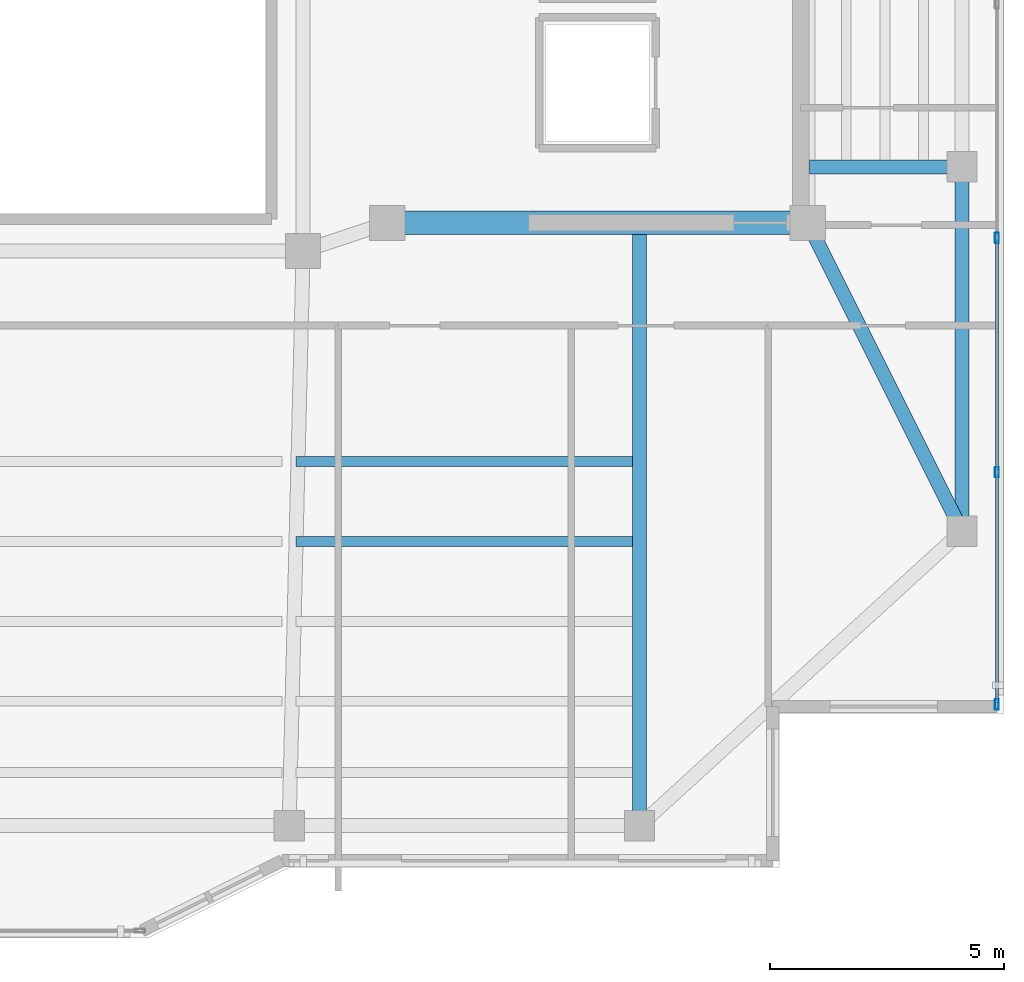
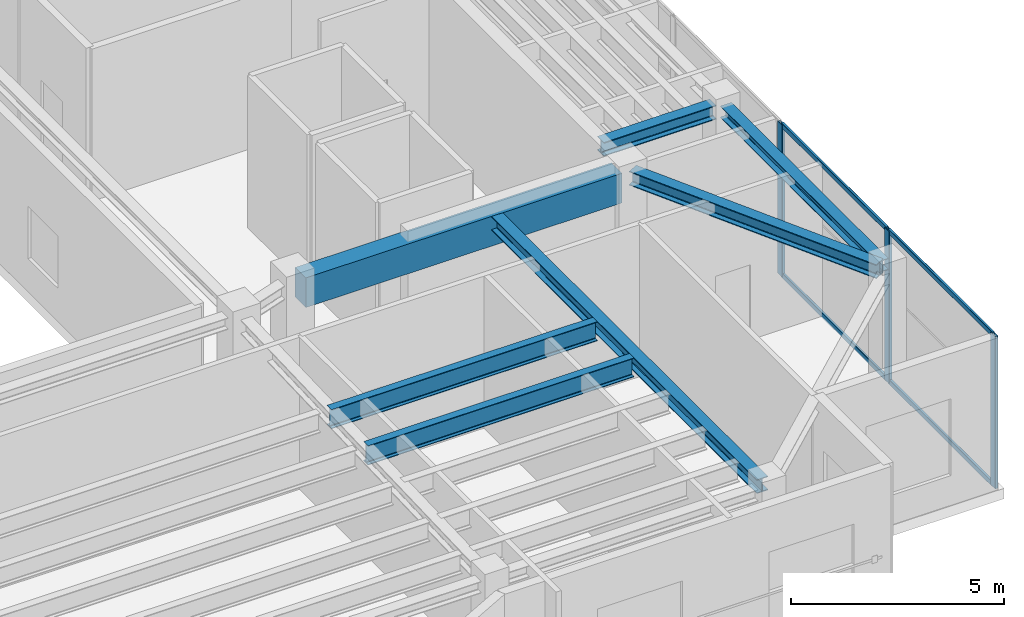
# One storey, part 8 of 25: 7 beams, 7 members, 1 element without a shape of its own.
"""IFC4 building model written with IfcOpenShell, lengths in metres."""

from ifc_helpers import new_model, si_unit, direction, frame, origin, origin_2d, place, context, subcontext, project, spatial, rectangle, hollow_rectangle, i_section, extrude, material, layer, layer_set, material_profile, profile_set, type_object, element, aggregate, save


model = new_model("IFC4")

# Units and contexts
model_context = context("Model", 3, precision=1e-05, world=origin(), true_north=direction((0.0, 1.0)))
body_context = subcontext(model_context, "Body", "Model", "MODEL_VIEW")
ifc_project = project(units=[si_unit("LENGTHUNIT", "METRE"), si_unit("AREAUNIT", "SQUARE_METRE"), si_unit("VOLUMEUNIT", "CUBIC_METRE"), si_unit("PLANEANGLEUNIT", "RADIAN"), si_unit("MASSUNIT", "GRAM", prefix="KILO")], contexts=[model_context])

# Site, building, storey
site_placement = place(None, origin())
site = spatial("IfcSite", under=ifc_project, at=site_placement, CompositionType="ELEMENT")
building_placement = place(site_placement, origin())
building = spatial("IfcBuilding", under=site, at=building_placement, Name="Tarnavaz Court Tower", CompositionType="ELEMENT")
storey_placement = place(building_placement, frame((0.0, 0.0, 271.64990234375)))
storey = spatial("IfcBuildingStorey", under=building, at=storey_placement, Name="L74", CompositionType="ELEMENT", Elevation=271.64990234375)

# Beams
ifc_material_1 = material(Name="Concrete C50/60", Category="concrete")
ifc_material_profile_1 = material_profile(ifc_material_1, rectangle(XDim=0.5, YDim=0.85009765625, at=origin_2d()), Name="RC 500X850")
ifc_profile_set_1 = profile_set([ifc_material_profile_1], Name="Concrete C50/60")
beam_type_1 = type_object("IfcBeamType", Name="BM-CB850", PredefinedType="LINTEL", material=ifc_profile_set_1)
beam_1_placement = place(storey_placement, frame((18.3798828125, -7.199951171875, 3.925048828125), z_axis=(-1.0, 0.0, 0.0), x_axis=(0.0, -1.0, 0.0)))
element("IfcBeam", 1, at=beam_1_placement, inside=storey, type_object=beam_type_1, Name="L74 Beam IN-CE-SO-CE-SI", PredefinedType="LINTEL", context=body_context, shape_type="SweptSolid", body=[
    extrude(rectangle(XDim=0.5, YDim=0.85009765625, at=origin_2d()), origin(), (0.0, 0.0, 1.0), 8.559814453125),
])
ifc_material_2 = material(Name="Steel S355", Category="steel")
ifc_material_profile_2 = material_profile(ifc_material_2, i_section(OverallWidth=0.300048828125, OverallDepth=0.39990234375, WebThickness=0.013427734375, FlangeThickness=0.02392578125, FilletRadius=0.027099609375, at=origin_2d()), Name="HEB 400")
ifc_profile_set_2 = profile_set([ifc_material_profile_2], Name="Steel S355")
beam_type_2 = type_object("IfcBeamType", Name="BM-G-HEB400", PredefinedType="USERDEFINED", material=ifc_profile_set_2)
beam_2_placement = place(storey_placement, frame((15.0, -7.239990234375, 4.150146484375), z_axis=(0.0, -1.0, 0.0), x_axis=(1.0, 0.0, 0.0)))
element("IfcBeam", 2, at=beam_2_placement, inside=storey, type_object=beam_type_2, Name="L74 Beam RG-08", ObjectType="GIRDER", PredefinedType="USERDEFINED", context=body_context, shape_type="SweptSolid", body=[
    extrude(i_section(OverallWidth=0.300048828125, OverallDepth=0.39990234375, WebThickness=0.013427734375, FlangeThickness=0.02392578125, FilletRadius=0.027099609375, at=origin_2d()), origin(), (0.0, 0.0, 1.0), 12.639892578125),
])
beam_3_placement = place(storey_placement, frame((18.639892578125, -6.0, 4.150146484375), z_axis=(1.0, 0.0, 0.0), x_axis=(0.0, 1.0, 0.0)))
element("IfcBeam", 3, at=beam_3_placement, inside=storey, type_object=beam_type_2, Name="L74 Beam RG-09", ObjectType="GIRDER", PredefinedType="USERDEFINED", context=body_context, shape_type="SweptSolid", body=[
    extrude(i_section(OverallWidth=0.300048828125, OverallDepth=0.39990234375, WebThickness=0.013427734375, FlangeThickness=0.02392578125, FilletRadius=0.027099609375, at=origin_2d()), origin(), (0.0, 0.0, 1.0), 3.0400390625),
])
beam_4_placement = place(storey_placement, frame((18.698486328125, -7.396728515625, 4.150146484375), z_axis=(0.447185448279, -0.894441264057, 0.0), x_axis=(0.894441264057, 0.447185448279, 0.0)))
element("IfcBeam", 4, at=beam_4_placement, inside=storey, type_object=beam_type_2, Name="L74 Beam RG-11", ObjectType="GIRDER", PredefinedType="USERDEFINED", context=body_context, shape_type="SweptSolid", body=[
    extrude(i_section(OverallWidth=0.300048828125, OverallDepth=0.39990234375, WebThickness=0.013427734375, FlangeThickness=0.02392578125, FilletRadius=0.027099609375, at=origin_2d()), origin(), (0.0, 0.0, 1.0), 6.93896484375),
])
ifc_material_profile_3 = material_profile(ifc_material_2, i_section(OverallWidth=0.2099609375, OverallDepth=0.550048828125, WebThickness=0.010986328125, FlangeThickness=0.01708984375, FilletRadius=0.02392578125, at=origin_2d()), Name="IPE 550")
ifc_profile_set_3 = profile_set([ifc_material_profile_3], Name="Steel S355")
beam_type_3 = type_object("IfcBeamType", Name="BM-J-IPE550", PredefinedType="JOIST", material=ifc_profile_set_3)
for number, where, z_axis, x_axis, name in (
    (5, (7.64990234375, -12.31005859375, 4.0751953125), (1.0, 0.0, 0.0), (0.0, 1.0, 0.0), "L74 Beam JS1-3"),
    (6, (7.64990234375, -14.02001953125, 4.0751953125), (1.0, 0.0, 0.0), (0.0, 1.0, 0.0), "L74 Beam JS2-3"),
):
    element("IfcBeam", number, at=place(storey_placement, frame(where, z_axis=z_axis, x_axis=x_axis)), inside=storey, type_object=beam_type_3, Name=name, PredefinedType="JOIST", context=body_context, shape_type="SweptSolid", body=[
        extrude(i_section(OverallWidth=0.2099609375, OverallDepth=0.550048828125, WebThickness=0.010986328125, FlangeThickness=0.01708984375, FilletRadius=0.02392578125, at=origin_2d()), origin(), (0.0, 0.0, 1.0), 7.2001953125),
    ])
ifc_material_profile_4 = material_profile(ifc_material_2, i_section(OverallWidth=0.300048828125, OverallDepth=0.330078125, WebThickness=0.009521484375, FlangeThickness=0.0166015625, FilletRadius=0.027099609375, at=origin_2d()), Name="HEA 340")
ifc_profile_set_4 = profile_set([ifc_material_profile_4], Name="Steel S355")
beam_type_4 = type_object("IfcBeamType", Name="BM-SP-HEA340", PredefinedType="BEAM", material=ifc_profile_set_4)
beam_5_placement = place(storey_placement, frame((21.89990234375, -13.580078125, 4.18505859375), z_axis=(0.0, 1.0, 0.0), x_axis=(-1.0, 0.0, 0.0)))
element("IfcBeam", 7, at=beam_5_placement, inside=storey, type_object=beam_type_4, Name="L74 Beam PR-PE-1-PE-2", PredefinedType="BEAM", context=body_context, shape_type="SweptSolid", body=[
    extrude(i_section(OverallWidth=0.300048828125, OverallDepth=0.330078125, WebThickness=0.009521484375, FlangeThickness=0.0166015625, FilletRadius=0.027099609375, at=origin_2d()), origin(), (0.0, 0.0, 1.0), 7.360107421875),
])

# Curtain wall, members
ifc_material_3 = material(Name="Anodised Aluminium 6063-T6 and Solar Low-E Glazing", Category="aluminium")
ifc_layer = layer(ifc_material_3, 0.2099609375)
ifc_layer_set = layer_set([ifc_layer], Name="Anodised Aluminium 6063-T6 and Solar Low-E Glazing")
curtain_wall_type = type_object("IfcCurtainWallType", Name="CW-SYS-06", PredefinedType="NOTDEFINED", material=ifc_layer_set)
curtain_wall_placement = place(storey_placement, origin())
curtain_wall = element("IfcCurtainWall", 8, at=curtain_wall_placement, inside=storey, type_object=curtain_wall_type, Name="L74 Observation Curtain Wall 12", PredefinedType="NOTDEFINED")
ifc_material_4 = material(Name="Anodised Aluminium 6063-T6", Category="aluminium")
ifc_material_profile_5 = material_profile(ifc_material_4, hollow_rectangle(XDim=0.0849609375, YDim=0.219970703125, WallThickness=0.006103515625, InnerFilletRadius=0.006103515625, OuterFilletRadius=0.011962890625, at=origin_2d()), Name="ALU RHS 220X85X6")
ifc_profile_set_5 = profile_set([ifc_material_profile_5], Name="Anodised Aluminium 6063-T6")
member_type_1 = type_object("IfcMemberType", Name="CW-MUL-220", PredefinedType="MULLION", material=ifc_profile_set_5)
member_1_placement = place(storey_placement, frame((22.64990234375, -7.521484375, 0.0), z_axis=(0.0, 0.0, 1.0), x_axis=(1.0, 0.0, 0.0)))
member_1 = element("IfcMember", 9, at=member_1_placement, type_object=member_type_1, Name="CW mullion 6", PredefinedType="MULLION", context=body_context, shape_type="SweptSolid", body=[
    extrude(hollow_rectangle(XDim=0.0849609375, YDim=0.219970703125, WallThickness=0.006103515625, InnerFilletRadius=0.006103515625, OuterFilletRadius=0.011962890625, at=origin_2d()), origin(), (0.0, 0.0, 1.0), 4.35009765625),
])
member_2_placement = place(storey_placement, frame((22.64990234375, -12.53564453125, 0.0), z_axis=(0.0, 0.0, 1.0), x_axis=(1.0, 0.0, 0.0)))
member_2 = element("IfcMember", 10, at=member_2_placement, type_object=member_type_1, Name="CW mullion 7", PredefinedType="MULLION", context=body_context, shape_type="SweptSolid", body=[
    extrude(hollow_rectangle(XDim=0.0849609375, YDim=0.219970703125, WallThickness=0.006103515625, InnerFilletRadius=0.006103515625, OuterFilletRadius=0.011962890625, at=origin_2d()), origin(), (0.0, 0.0, 1.0), 4.35009765625),
])
member_3_placement = place(storey_placement, frame((22.64990234375, -17.507568359375, 0.0), z_axis=(0.0, 0.0, 1.0), x_axis=(1.0, 0.0, 0.0)))
member_3 = element("IfcMember", 11, at=member_3_placement, type_object=member_type_1, Name="CW mullion 8", PredefinedType="MULLION", context=body_context, shape_type="SweptSolid", body=[
    extrude(hollow_rectangle(XDim=0.0849609375, YDim=0.219970703125, WallThickness=0.006103515625, InnerFilletRadius=0.006103515625, OuterFilletRadius=0.011962890625, at=origin_2d()), origin(), (0.0, 0.0, 1.0), 4.35009765625),
])
ifc_material_profile_6 = material_profile(ifc_material_4, hollow_rectangle(XDim=0.06494140625, YDim=0.139892578125, WallThickness=0.00390625, InnerFilletRadius=0.00390625, OuterFilletRadius=0.008056640625, at=origin_2d()), Name="ALU RHS 140X65X4")
ifc_profile_set_6 = profile_set([ifc_material_profile_6], Name="Anodised Aluminium 6063-T6")
member_type_2 = type_object("IfcMemberType", Name="CW-TRN-140", PredefinedType="USERDEFINED", material=ifc_profile_set_6)
member_4_placement = place(storey_placement, frame((22.64990234375, -7.56396484375, 0.03271484375), z_axis=(0.0, -1.0, 0.0), x_axis=(1.0, 0.0, 0.0)))
member_4 = element("IfcMember", 12, at=member_4_placement, type_object=member_type_2, Name="CW transom 6.1", ObjectType="TRANSOM", PredefinedType="USERDEFINED", context=body_context, shape_type="SweptSolid", body=[
    extrude(hollow_rectangle(XDim=0.06494140625, YDim=0.139892578125, WallThickness=0.00390625, InnerFilletRadius=0.00390625, OuterFilletRadius=0.008056640625, at=origin_2d()), origin(), (0.0, 0.0, 1.0), 4.92919921875),
])
member_5_placement = place(storey_placement, frame((22.64990234375, -7.56396484375, 4.317626953125), z_axis=(0.0, -1.0, 0.0), x_axis=(1.0, 0.0, 0.0)))
member_5 = element("IfcMember", 13, at=member_5_placement, type_object=member_type_2, Name="CW transom 6.2", ObjectType="TRANSOM", PredefinedType="USERDEFINED", context=body_context, shape_type="SweptSolid", body=[
    extrude(hollow_rectangle(XDim=0.06494140625, YDim=0.139892578125, WallThickness=0.00390625, InnerFilletRadius=0.00390625, OuterFilletRadius=0.008056640625, at=origin_2d()), origin(), (0.0, 0.0, 1.0), 4.92919921875),
])
member_6_placement = place(storey_placement, frame((22.64990234375, -12.578125, 0.03271484375), z_axis=(0.0, -1.0, 0.0), x_axis=(1.0, 0.0, 0.0)))
member_6 = element("IfcMember", 14, at=member_6_placement, type_object=member_type_2, Name="CW transom 7.1", ObjectType="TRANSOM", PredefinedType="USERDEFINED", context=body_context, shape_type="SweptSolid", body=[
    extrude(hollow_rectangle(XDim=0.06494140625, YDim=0.139892578125, WallThickness=0.00390625, InnerFilletRadius=0.00390625, OuterFilletRadius=0.008056640625, at=origin_2d()), origin(), (0.0, 0.0, 1.0), 4.886962890625),
])
member_7_placement = place(storey_placement, frame((22.64990234375, -12.578125, 4.317626953125), z_axis=(0.0, -1.0, 0.0), x_axis=(1.0, 0.0, 0.0)))
member_7 = element("IfcMember", 15, at=member_7_placement, type_object=member_type_2, Name="CW transom 7.2", ObjectType="TRANSOM", PredefinedType="USERDEFINED", context=body_context, shape_type="SweptSolid", body=[
    extrude(hollow_rectangle(XDim=0.06494140625, YDim=0.139892578125, WallThickness=0.00390625, InnerFilletRadius=0.00390625, OuterFilletRadius=0.008056640625, at=origin_2d()), origin(), (0.0, 0.0, 1.0), 4.886962890625),
])
aggregate(curtain_wall, [member_1, member_2, member_3, member_4, member_5, member_6, member_7])

save(model, "model.ifc")
